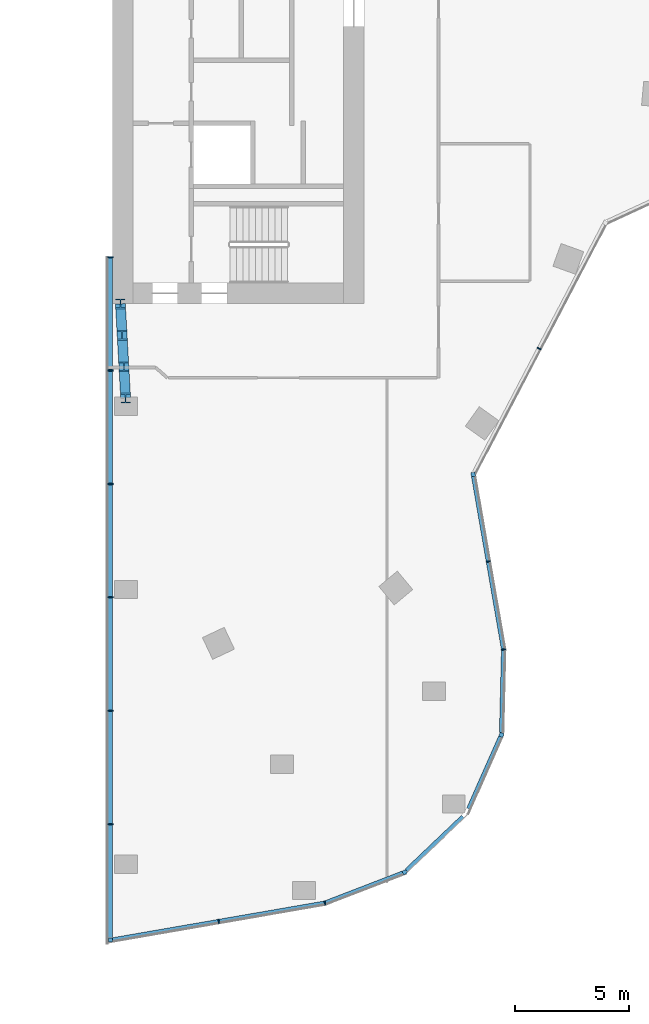
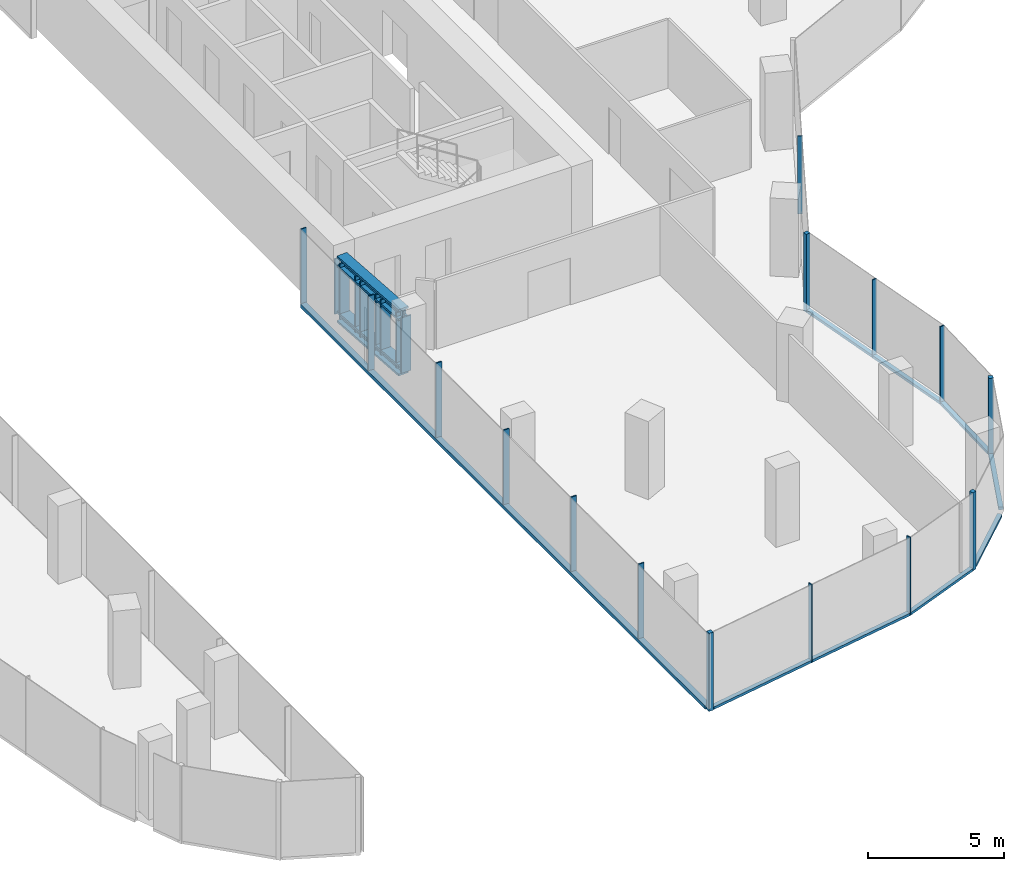
# One storey, part 3 of 23: 28 members, 8 elements without a shape of their own.
"""IFC4 building model written with IfcOpenShell, lengths in metres."""

from ifc_helpers import new_model, si_unit, direction, frame, origin, origin_2d, place, context, subcontext, project, spatial, rectangle, i_section, extrude, material, material_profile, profile_set, type_object, element, aggregate, save


model = new_model("IFC4")

# Units and contexts
model_context = context("Model", 3, precision=1e-05, world=origin(), true_north=direction((0.0, 1.0)))
body_context = subcontext(model_context, "Body", "Model", "MODEL_VIEW")
ifc_project = project(units=[si_unit("LENGTHUNIT", "METRE"), si_unit("AREAUNIT", "SQUARE_METRE"), si_unit("VOLUMEUNIT", "CUBIC_METRE"), si_unit("PLANEANGLEUNIT", "RADIAN"), si_unit("MASSUNIT", "GRAM", prefix="KILO")], contexts=[model_context])

# Site, building, storey
site_placement = place(None, origin())
site = spatial("IfcSite", under=ifc_project, at=site_placement, CompositionType="ELEMENT")
building_placement = place(site_placement, origin())
building = spatial("IfcBuilding", under=site, at=building_placement, Name="Orlundy Tower", CompositionType="ELEMENT")
storey_placement = place(building_placement, frame((0.0, 0.0, 257.0)))
storey = spatial("IfcBuildingStorey", under=building, at=storey_placement, Name="L68", CompositionType="ELEMENT", Elevation=257.0)

# Curtain wall, member
ifc_material_1 = material(Name="Aluminium bronze anodised", Category="aluminium")
curtain_wall_type = type_object("IfcCurtainWallType", Name="CW1 wall", PredefinedType="NOTDEFINED", material=ifc_material_1)
curtain_wall_1_placement = place(storey_placement, origin())
curtain_wall_1 = element("IfcCurtainWall", 1, at=curtain_wall_1_placement, inside=storey, type_object=curtain_wall_type, Name="CW1 run 112", PredefinedType="NOTDEFINED")
ifc_material_2 = material(Name="Aluminium bronze anodised", Category="aluminium")
ifc_material_profile_1 = material_profile(ifc_material_2, rectangle(XDim=0.179931640625, YDim=0.179931640625, at=origin_2d()), Name="CW1 corner post 180x180")
ifc_profile_set_1 = profile_set([ifc_material_profile_1], Name="Aluminium bronze anodised")
member_type_1 = type_object("IfcMemberType", Name="CW1 corner post 180x180", PredefinedType="MULLION", material=ifc_profile_set_1)
member_1_placement = place(storey_placement, frame((23.764892578125, -19.4736328125, -0.39990234375), z_axis=(0.0, 0.0, 1.0), x_axis=(0.985318106887, 0.170728522047, 0.0)))
member_1 = element("IfcMember", 2, at=member_1_placement, type_object=member_type_1, Name="CW1 mullion 18", PredefinedType="MULLION", context=body_context, shape_type="SweptSolid", body=[
    extrude(rectangle(XDim=0.179931640625, YDim=0.179931640625, at=origin_2d()), origin(), (0.0, 0.0, 1.0), 3.5),
])

curtain_wall_2_placement = place(storey_placement, origin())
curtain_wall_2 = element("IfcCurtainWall", 3, at=curtain_wall_2_placement, inside=storey, type_object=curtain_wall_type, Name="CW1 run 114", PredefinedType="NOTDEFINED")
member_2_placement = place(storey_placement, frame((24.99853515625, -30.85400390625, -0.39990234375), z_axis=(0.0, 0.0, 1.0), x_axis=(0.914133830763, -0.405412554633, 0.0)))
member_2 = element("IfcMember", 4, at=member_2_placement, type_object=member_type_1, Name="CW1 mullion 21", PredefinedType="MULLION", context=body_context, shape_type="SweptSolid", body=[
    extrude(rectangle(XDim=0.179931640625, YDim=0.179931640625, at=origin_2d()), origin(), (0.0, 0.0, 1.0), 3.5),
])

curtain_wall_3_placement = place(storey_placement, origin())
curtain_wall_3 = element("IfcCurtainWall", 5, at=curtain_wall_3_placement, inside=storey, type_object=curtain_wall_type, Name="CW1 run 116", PredefinedType="NOTDEFINED")
member_3_placement = place(storey_placement, frame((20.77001953125, -36.85546875, -0.39990234375), z_axis=(0.0, 0.0, 1.0), x_axis=(0.359828461467, -0.933018476944, 0.0)))
member_3 = element("IfcMember", 6, at=member_3_placement, type_object=member_type_1, Name="CW1 mullion 23", PredefinedType="MULLION", context=body_context, shape_type="SweptSolid", body=[
    extrude(rectangle(XDim=0.179931640625, YDim=0.179931640625, at=origin_2d()), origin(), (0.0, 0.0, 1.0), 3.5),
])

curtain_wall_4_placement = place(storey_placement, origin())
curtain_wall_4 = element("IfcCurtainWall", 7, at=curtain_wall_4_placement, inside=storey, type_object=curtain_wall_type, Name="CW1 run 118", PredefinedType="NOTDEFINED")
member_4_placement = place(storey_placement, frame((7.909912109375, -39.823974609375, -0.39990234375), z_axis=(0.0, 0.0, 1.0), x_axis=(-1.0, 0.0, 0.0)))
member_4 = element("IfcMember", 8, at=member_4_placement, type_object=member_type_1, Name="CW1 mullion 26", PredefinedType="MULLION", context=body_context, shape_type="SweptSolid", body=[
    extrude(rectangle(XDim=0.179931640625, YDim=0.179931640625, at=origin_2d()), origin(), (0.0, 0.0, 1.0), 3.5),
])

curtain_wall_5_placement = place(storey_placement, origin())
curtain_wall_5 = element("IfcCurtainWall", 9, at=curtain_wall_5_placement, inside=storey, type_object=curtain_wall_type, Name="CW1 run 111", PredefinedType="NOTDEFINED")
ifc_material_3 = material(Name="Aluminium bronze anodised", Category="aluminium")
ifc_material_profile_2 = material_profile(ifc_material_3, rectangle(XDim=0.179931640625, YDim=0.050048828125, at=origin_2d()), Name="CW1 mullion 50x180")
ifc_profile_set_2 = profile_set([ifc_material_profile_2], Name="Aluminium bronze anodised")
member_type_2 = type_object("IfcMemberType", Name="CW1 mullion 50x180", PredefinedType="MULLION", material=ifc_profile_set_2)
member_5_placement = place(storey_placement, frame((26.649658203125, -13.97119140625, -0.39990234375), z_axis=(0.0, 0.0, 1.0), x_axis=(0.885660617608, -0.464333145939, 0.0)))
member_5 = element("IfcMember", 10, at=member_5_placement, type_object=member_type_2, Name="CW1 mullion 17", PredefinedType="MULLION", context=body_context, shape_type="SweptSolid", body=[
    extrude(rectangle(XDim=0.179931640625, YDim=0.050048828125, at=origin_2d()), origin(), (0.0, 0.0, 1.0), 3.5),
])
aggregate(curtain_wall_5, [member_5])

# Member
member_6_placement = place(storey_placement, frame((24.424072265625, -23.278564453125, -0.39990234375), z_axis=(0.0, 0.0, 1.0), x_axis=(0.985318106887, 0.170728522047, 0.0)))
member_6 = element("IfcMember", 11, at=member_6_placement, type_object=member_type_2, Name="CW1 mullion 19", PredefinedType="MULLION", context=body_context, shape_type="SweptSolid", body=[
    extrude(rectangle(XDim=0.179931640625, YDim=0.050048828125, at=origin_2d()), origin(), (0.0, 0.0, 1.0), 3.5),
])

# Curtain wall, member
curtain_wall_6_placement = place(storey_placement, origin())
curtain_wall_6 = element("IfcCurtainWall", 12, at=curtain_wall_6_placement, inside=storey, type_object=curtain_wall_type, Name="CW1 run 113", PredefinedType="NOTDEFINED")
member_7_placement = place(storey_placement, frame((25.090087890625, -27.122314453125, -0.39990234375), z_axis=(0.0, 0.0, 1.0), x_axis=(0.9972996306, 0.073440089904, 0.0)))
member_7 = element("IfcMember", 13, at=member_7_placement, type_object=member_type_2, Name="CW1 mullion 20", PredefinedType="MULLION", context=body_context, shape_type="SweptSolid", body=[
    extrude(rectangle(XDim=0.179931640625, YDim=0.050048828125, at=origin_2d()), origin(), (0.0, 0.0, 1.0), 3.5),
])

# Curtain wall, members
curtain_wall_7_placement = place(storey_placement, origin())
curtain_wall_7 = element("IfcCurtainWall", 14, at=curtain_wall_7_placement, inside=storey, type_object=curtain_wall_type, Name="CW1 run 117", PredefinedType="NOTDEFINED")
member_8_placement = place(storey_placement, frame((17.2861328125, -38.19921875, -0.39990234375), z_axis=(0.0, 0.0, 1.0), x_axis=(0.266571821277, -0.963815057001, 0.0)))
member_8 = element("IfcMember", 15, at=member_8_placement, type_object=member_type_2, Name="CW1 mullion 24", PredefinedType="MULLION", context=body_context, shape_type="SweptSolid", body=[
    extrude(rectangle(XDim=0.179931640625, YDim=0.050048828125, at=origin_2d()), origin(), (0.0, 0.0, 1.0), 3.5),
])
member_9_placement = place(storey_placement, frame((12.646484375, -39.003173828125, -0.39990234375), z_axis=(0.0, 0.0, 1.0), x_axis=(0.170744034483, -0.985315418883, 0.0)))
member_9 = element("IfcMember", 16, at=member_9_placement, type_object=member_type_2, Name="CW1 mullion 25", PredefinedType="MULLION", context=body_context, shape_type="SweptSolid", body=[
    extrude(rectangle(XDim=0.179931640625, YDim=0.050048828125, at=origin_2d()), origin(), (0.0, 0.0, 1.0), 3.5),
])

# Member
ifc_material_4 = material(Name="Aluminium bronze anodised", Category="aluminium")
ifc_material_profile_3 = material_profile(ifc_material_4, rectangle(XDim=0.179931640625, YDim=0.1201171875, at=origin_2d()), Name="CW1 transom 180x120")
ifc_profile_set_3 = profile_set([ifc_material_profile_3], Name="Aluminium bronze anodised")
member_type_3 = type_object("IfcMemberType", Name="CW1 transom 180x120", PredefinedType="USERDEFINED", material=ifc_profile_set_3)
member_10_placement = place(storey_placement, frame((23.7802734375, -19.5625, -0.340087890625), z_axis=(0.170732175042, -0.985317473917, 0.0), x_axis=(0.985317473917, 0.170732175042, 0.0)))
member_10 = element("IfcMember", 17, at=member_10_placement, type_object=member_type_3, Name="CW1 transom", ObjectType="TRANSOM", PredefinedType="USERDEFINED", context=body_context, shape_type="SweptSolid", body=[
    extrude(rectangle(XDim=0.179931640625, YDim=0.1201171875, at=origin_2d()), origin(), (0.0, 0.0, 1.0), 7.6474609375),
])

aggregate(curtain_wall_1, [member_1, member_6, member_10])

member_11_placement = place(storey_placement, frame((25.089599609375, -27.1474609375, -0.340087890625), z_axis=(-0.024546173371, -0.999698697295, 0.0), x_axis=(0.999698697295, -0.024546173371, 0.0)))
member_11 = element("IfcMember", 18, at=member_11_placement, type_object=member_type_3, Name="CW1 transom", ObjectType="TRANSOM", PredefinedType="USERDEFINED", context=body_context, shape_type="SweptSolid", body=[
    extrude(rectangle(XDim=0.179931640625, YDim=0.1201171875, at=origin_2d()), origin(), (0.0, 0.0, 1.0), 3.6103515625),
])

aggregate(curtain_wall_6, [member_7, member_11])

member_12_placement = place(storey_placement, frame((24.962158203125, -30.936279296875, -0.340087890625), z_axis=(-0.405447673371, -0.914118255018, 0.0), x_axis=(0.914118255018, -0.405447673371, 0.0)))
member_12 = element("IfcMember", 19, at=member_12_placement, type_object=member_type_3, Name="CW1 transom", ObjectType="TRANSOM", PredefinedType="USERDEFINED", context=body_context, shape_type="SweptSolid", body=[
    extrude(rectangle(XDim=0.179931640625, YDim=0.1201171875, at=origin_2d()), origin(), (0.0, 0.0, 1.0), 3.443603515625),
])

aggregate(curtain_wall_2, [member_2, member_12])

# Curtain wall, member
curtain_wall_8_placement = place(storey_placement, origin())
curtain_wall_8 = element("IfcCurtainWall", 20, at=curtain_wall_8_placement, inside=storey, type_object=curtain_wall_type, Name="CW1 run 115", PredefinedType="NOTDEFINED")
member_13_placement = place(storey_placement, frame((23.322265625, -34.427001953125, -0.340087890625), z_axis=(-0.724456491163, -0.689320529516, 0.0), x_axis=(0.689320529516, -0.724456491163, 0.0)))
member_13 = element("IfcMember", 21, at=member_13_placement, type_object=member_type_3, Name="CW1 transom", ObjectType="TRANSOM", PredefinedType="USERDEFINED", context=body_context, shape_type="SweptSolid", body=[
    extrude(rectangle(XDim=0.179931640625, YDim=0.1201171875, at=origin_2d()), origin(), (0.0, 0.0, 1.0), 3.425537109375),
])
aggregate(curtain_wall_8, [member_13])

# Member
member_14_placement = place(storey_placement, frame((20.68603515625, -36.887939453125, -0.340087890625), z_axis=(-0.933011365774, -0.359846899858, 0.0), x_axis=(0.359846899858, -0.933011365774, 0.0)))
member_14 = element("IfcMember", 22, at=member_14_placement, type_object=member_type_3, Name="CW1 transom", ObjectType="TRANSOM", PredefinedType="USERDEFINED", context=body_context, shape_type="SweptSolid", body=[
    extrude(rectangle(XDim=0.179931640625, YDim=0.1201171875, at=origin_2d()), origin(), (0.0, 0.0, 1.0), 3.618896484375),
])

aggregate(curtain_wall_3, [member_3, member_14])

member_15_placement = place(storey_placement, frame((17.261474609375, -38.203369140625, -0.340087890625), z_axis=(-0.985314499235, -0.170749341426, 0.0), x_axis=(0.170749341426, -0.985314499235, 0.0)))
member_15 = element("IfcMember", 23, at=member_15_placement, type_object=member_type_3, Name="CW1 transom", ObjectType="TRANSOM", PredefinedType="USERDEFINED", context=body_context, shape_type="SweptSolid", body=[
    extrude(rectangle(XDim=0.179931640625, YDim=0.1201171875, at=origin_2d()), origin(), (0.0, 0.0, 1.0), 9.3837890625),
])

aggregate(curtain_wall_7, [member_8, member_9, member_15])

ifc_material_5 = material(Name="Aluminium bronze anodised", Category="aluminium")
ifc_material_profile_4 = material_profile(ifc_material_5, rectangle(XDim=0.239990234375, YDim=0.050048828125, at=origin_2d()), Name="CW6 mullion 50x240")
ifc_profile_set_4 = profile_set([ifc_material_profile_4], Name="Aluminium bronze anodised")
member_type_4 = type_object("IfcMemberType", Name="CW6 mullion 50x240", PredefinedType="MULLION", material=ifc_profile_set_4)
member_16_placement = place(storey_placement, frame((7.909912109375, -34.76025390625, -0.39990234375), z_axis=(0.0, 0.0, 1.0), x_axis=(-1.0, 0.0, 0.0)))
member_16 = element("IfcMember", 24, at=member_16_placement, type_object=member_type_4, Name="CW6 mullion 27", PredefinedType="MULLION", context=body_context, shape_type="SweptSolid", body=[
    extrude(rectangle(XDim=0.239990234375, YDim=0.050048828125, at=origin_2d()), origin(), (0.0, 0.0, 1.0), 3.5),
])

member_17_placement = place(storey_placement, frame((7.909912109375, -29.80322265625, -0.39990234375), z_axis=(0.0, 0.0, 1.0), x_axis=(-1.0, 0.0, 0.0)))
member_17 = element("IfcMember", 25, at=member_17_placement, type_object=member_type_4, Name="CW6 mullion 28", PredefinedType="MULLION", context=body_context, shape_type="SweptSolid", body=[
    extrude(rectangle(XDim=0.239990234375, YDim=0.050048828125, at=origin_2d()), origin(), (0.0, 0.0, 1.0), 3.5),
])

member_18_placement = place(storey_placement, frame((7.909912109375, -24.846435546875, -0.39990234375), z_axis=(0.0, 0.0, 1.0), x_axis=(-1.0, 0.0, 0.0)))
member_18 = element("IfcMember", 26, at=member_18_placement, type_object=member_type_4, Name="CW6 mullion 29", PredefinedType="MULLION", context=body_context, shape_type="SweptSolid", body=[
    extrude(rectangle(XDim=0.239990234375, YDim=0.050048828125, at=origin_2d()), origin(), (0.0, 0.0, 1.0), 3.5),
])

member_19_placement = place(storey_placement, frame((7.909912109375, -19.8896484375, -0.39990234375), z_axis=(0.0, 0.0, 1.0), x_axis=(-1.0, 0.0, 0.0)))
member_19 = element("IfcMember", 27, at=member_19_placement, type_object=member_type_4, Name="CW6 mullion 30", PredefinedType="MULLION", context=body_context, shape_type="SweptSolid", body=[
    extrude(rectangle(XDim=0.239990234375, YDim=0.050048828125, at=origin_2d()), origin(), (0.0, 0.0, 1.0), 3.5),
])

member_20_placement = place(storey_placement, frame((7.909912109375, -14.9326171875, -0.39990234375), z_axis=(0.0, 0.0, 1.0), x_axis=(-1.0, 0.0, 0.0)))
member_20 = element("IfcMember", 28, at=member_20_placement, type_object=member_type_4, Name="CW6 mullion 31", PredefinedType="MULLION", context=body_context, shape_type="SweptSolid", body=[
    extrude(rectangle(XDim=0.239990234375, YDim=0.050048828125, at=origin_2d()), origin(), (0.0, 0.0, 1.0), 3.5),
])

member_21_placement = place(storey_placement, frame((7.909912109375, -9.975830078125, -0.39990234375), z_axis=(0.0, 0.0, 1.0), x_axis=(-1.0, 0.0, 0.0)))
member_21 = element("IfcMember", 29, at=member_21_placement, type_object=member_type_4, Name="CW6 mullion 32", PredefinedType="MULLION", context=body_context, shape_type="SweptSolid", body=[
    extrude(rectangle(XDim=0.239990234375, YDim=0.050048828125, at=origin_2d()), origin(), (0.0, 0.0, 1.0), 3.5),
])

ifc_material_6 = material(Name="Aluminium bronze anodised", Category="aluminium")
ifc_material_profile_5 = material_profile(ifc_material_6, rectangle(XDim=0.239990234375, YDim=0.159912109375, at=origin_2d()), Name="CW6 transom 240x160")
ifc_profile_set_5 = profile_set([ifc_material_profile_5], Name="Aluminium bronze anodised")
member_type_5 = type_object("IfcMemberType", Name="CW6 transom 240x160", PredefinedType="USERDEFINED", material=ifc_profile_set_5)
member_22_placement = place(storey_placement, frame((7.8798828125, -39.717041015625, -0.320068359375), z_axis=(0.0, 1.0, 0.0), x_axis=(-1.0, 0.0, 0.0)))
member_22 = element("IfcMember", 30, at=member_22_placement, type_object=member_type_5, Name="CW6 transom", ObjectType="TRANSOM", PredefinedType="USERDEFINED", context=body_context, shape_type="SweptSolid", body=[
    extrude(rectangle(XDim=0.239990234375, YDim=0.159912109375, at=origin_2d()), origin(), (0.0, 0.0, 1.0), 29.716064453125),
])

aggregate(curtain_wall_4, [member_4, member_16, member_17, member_18, member_19, member_20, member_21, member_22])

# Members
ifc_material_7 = material(Name="Steel ASTM A992 Gr 50", Category="steel")
ifc_material_profile_6 = material_profile(ifc_material_7, i_section(OverallWidth=0.43212890625, OverallDepth=0.497802734375, WebThickness=0.0556640625, FlangeThickness=0.0888671875, at=origin_2d()), Name="W14X500")
ifc_profile_set_6 = profile_set([ifc_material_profile_6], Name="Steel ASTM A992 Gr 50")
member_type_6 = type_object("IfcMemberType", Name="PORTAL EDGE TRUSS chord W14X500", PredefinedType="CHORD", material=ifc_profile_set_6)
for number, where, z_axis, x_axis, name in (
    (31, (8.35009765625, -12.02001953125, 0.28466796875), (0.05566660133, -0.998449412588, 0.0), (0.998449412588, 0.05566660133, 0.0), "Portal edge truss bottom chord PE-ES"),
    (32, (8.35009765625, -12.02001953125, 2.765380859375), (0.05566660133, -0.998449412588, 0.0), (0.998449412588, 0.05566660133, 0.0), "Portal edge truss top chord PE-ES"),
):
    element("IfcMember", number, at=place(storey_placement, frame(where, z_axis=z_axis, x_axis=x_axis)), inside=storey, type_object=member_type_6, Name=name, PredefinedType="CHORD", context=body_context, shape_type="SweptSolid", body=[
        extrude(i_section(OverallWidth=0.43212890625, OverallDepth=0.497802734375, WebThickness=0.0556640625, FlangeThickness=0.0888671875, at=origin_2d()), origin(), (0.0, 0.0, 1.0), 4.126953125),
    ])
ifc_material_8 = material(Name="Steel ASTM A992 Gr 50", Category="steel")
ifc_material_profile_7 = material_profile(ifc_material_8, i_section(OverallWidth=0.412109375, OverallDepth=0.434814453125, WebThickness=0.035888671875, FlangeThickness=0.057373046875, at=origin_2d()), Name="W14X311")
ifc_profile_set_7 = profile_set([ifc_material_profile_7], Name="Steel ASTM A992 Gr 50")
member_type_7 = type_object("IfcMemberType", Name="PORTAL EDGE TRUSS post W14X311", PredefinedType="POST", material=ifc_profile_set_7)
for number, where, z_axis, x_axis, name in (
    (33, (8.35009765625, -12.02001953125, 0.28466796875), (0.0, 0.0, 1.0), (1.0, 0.0, 0.0), "Portal edge truss post PE-ES-0"),
    (34, (8.426513671875, -13.3935546875, 0.28466796875), (0.0, 0.0, 1.0), (1.0, 0.0, 0.0), "Portal edge truss post PE-ES-1"),
    (35, (8.50341796875, -14.76708984375, 0.28466796875), (0.0, 0.0, 1.0), (1.0, 0.0, 0.0), "Portal edge truss post PE-ES-2"),
    (36, (8.579833984375, -16.140625, 0.28466796875), (0.0, 0.0, 1.0), (1.0, 0.0, 0.0), "Portal edge truss post PE-ES-3"),
):
    element("IfcMember", number, at=place(storey_placement, frame(where, z_axis=z_axis, x_axis=x_axis)), inside=storey, type_object=member_type_7, Name=name, PredefinedType="POST", context=body_context, shape_type="SweptSolid", body=[
        extrude(i_section(OverallWidth=0.412109375, OverallDepth=0.434814453125, WebThickness=0.035888671875, FlangeThickness=0.057373046875, at=origin_2d()), origin(), (0.0, 0.0, 1.0), 2.480712890625),
    ])

save(model, "model.ifc")
